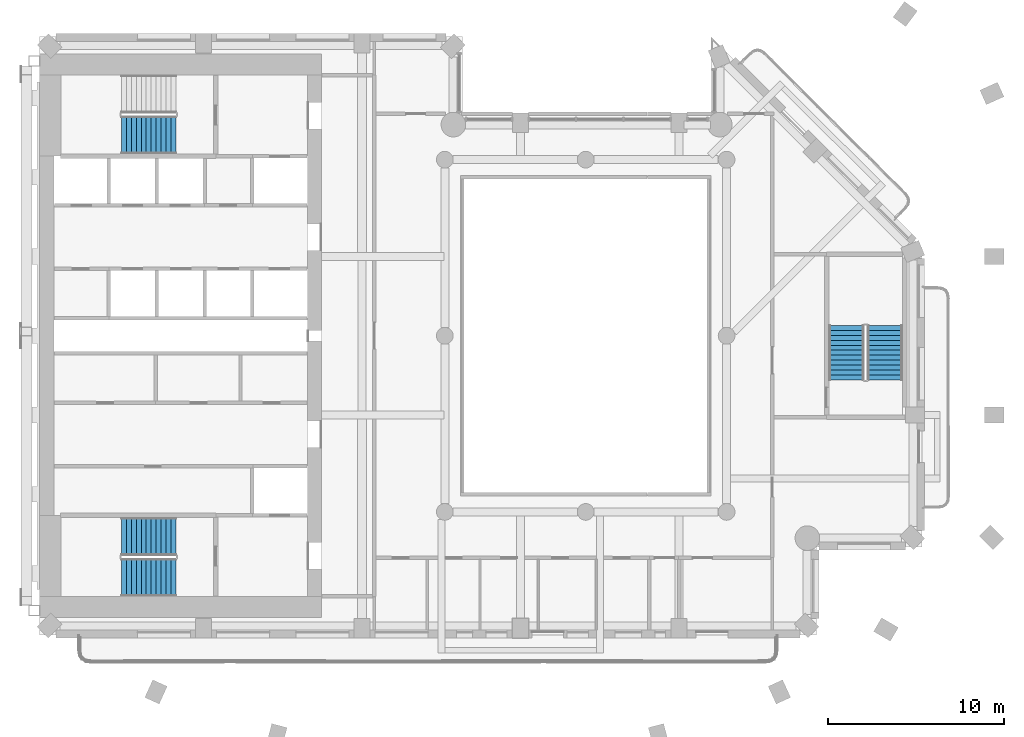
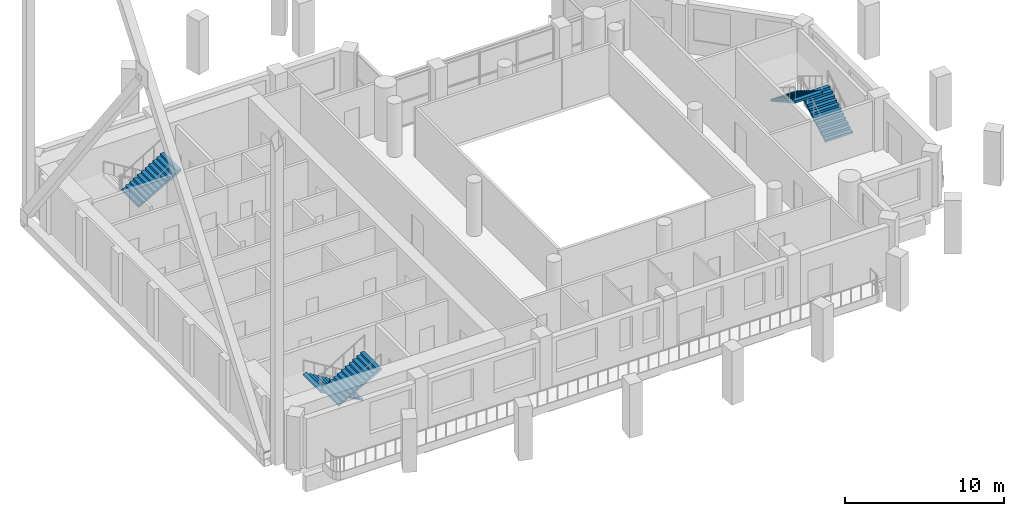
# One storey, part 10 of 16: 5 stair flights, 3 elements without a shape of their own.
"""IFC4 building model written with IfcOpenShell, lengths in metres."""

from ifc_helpers import new_model, si_unit, direction, frame, origin, place, context, subcontext, project, spatial, triangles, material, type_object, element, aggregate, save


model = new_model("IFC4")

# Units and contexts
model_context = context("Model", 3, precision=1e-05, world=origin(), true_north=direction((0.0, 1.0)))
body_context = subcontext(model_context, "Body", "Model", "MODEL_VIEW")
ifc_project = project(units=[si_unit("LENGTHUNIT", "METRE"), si_unit("AREAUNIT", "SQUARE_METRE"), si_unit("VOLUMEUNIT", "CUBIC_METRE"), si_unit("PLANEANGLEUNIT", "RADIAN"), si_unit("MASSUNIT", "GRAM", prefix="KILO")], contexts=[model_context])

# Site, building, storey
site_placement = place(None, origin())
site = spatial("IfcSite", under=ifc_project, at=site_placement, CompositionType="ELEMENT")
building_placement = place(site_placement, origin())
building = spatial("IfcBuilding", under=site, at=building_placement, Name="Cypress Arch Tower", CompositionType="ELEMENT")
storey_placement = place(building_placement, frame((0.0, 0.0, 197.39990234375)))
storey = spatial("IfcBuildingStorey", under=building, at=storey_placement, Name="L43", CompositionType="ELEMENT", Elevation=197.39990234375)

# Stair, stair flights
ifc_material_1 = material(Name="Concrete C40/50", Category="concrete")
stair_type_1 = type_object("IfcStairType", Name="Exit stair ES1708-200", PredefinedType="HALF_TURN_STAIR", material=ifc_material_1)
stair_1_placement = place(storey_placement, origin())
stair_1 = element("IfcStair", 1, at=stair_1_placement, inside=storey, type_object=stair_type_1, Name="L43 Exit stair C", PredefinedType="HALF_TURN_STAIR")
ifc_material_2 = material(Name="Concrete C40/50", Category="concrete")
stair_flight_type_1 = type_object("IfcStairFlightType", Name="Exit stair flight ES1708-200", PredefinedType="STRAIGHT", material=ifc_material_2)
stair_flight_1_placement = place(storey_placement, frame((18.0, -2.5, 0.0), z_axis=(0.0, 0.0, 1.0), x_axis=(0.0, 1.0, 0.0)))
stair_flight_1 = element("IfcStairFlight", 2, at=stair_flight_1_placement, type_object=stair_flight_type_1, Name="C flight 1", NumberOfRisers=12, NumberOfTreads=11, PredefinedType="STRAIGHT", RiserHeight=0.170833333, TreadLength=0.28, context=body_context, shape_type="Tessellation", body=[
    triangles([(0.0, -1.0, 0.0), (0.0, -1.0, 0.1708984375), (0.280029296875, -1.0, 0.1708984375), (0.280029296875, -1.0, 0.341552734375), (0.56005859375, -1.0, 0.341552734375), (0.56005859375, -1.0, 0.512451171875), (0.840087890625, -1.0, 0.512451171875), (0.840087890625, -1.0, 0.683349609375), (1.1201171875, -1.0, 0.683349609375), (1.1201171875, -1.0, 0.854248046875), (1.39990234375, -1.0, 0.854248046875), (1.39990234375, -1.0, 1.02490234375), (1.679931640625, -1.0, 1.02490234375), (1.679931640625, -1.0, 1.19580078125), (1.9599609375, -1.0, 1.19580078125), (1.9599609375, -1.0, 1.36669921875), (2.239990234375, -1.0, 1.36669921875), (2.239990234375, -1.0, 1.53759765625), (2.52001953125, -1.0, 1.53759765625), (2.52001953125, -1.0, 1.708251953125), (2.800048828125, -1.0, 1.708251953125), (2.800048828125, -1.0, 1.879150390625), (3.080078125, -1.0, 1.879150390625), (3.080078125, -1.0, 1.70361328125), (3.080078125, 1.0, 1.70361328125), (3.080078125, 1.0, 1.879150390625), (2.800048828125, 1.0, 1.879150390625), (2.800048828125, 1.0, 1.708251953125), (2.52001953125, 1.0, 1.708251953125), (2.52001953125, 1.0, 1.53759765625), (2.239990234375, 1.0, 1.53759765625), (2.239990234375, 1.0, 1.36669921875), (1.9599609375, 1.0, 1.36669921875), (1.9599609375, 1.0, 1.19580078125), (1.679931640625, 1.0, 1.19580078125), (1.679931640625, 1.0, 1.02490234375), (1.39990234375, 1.0, 1.02490234375), (1.39990234375, 1.0, 0.854248046875), (1.1201171875, 1.0, 0.854248046875), (1.1201171875, 1.0, 0.683349609375), (0.840087890625, 1.0, 0.683349609375), (0.840087890625, 1.0, 0.512451171875), (0.56005859375, 1.0, 0.512451171875), (0.56005859375, 1.0, 0.341552734375), (0.280029296875, 1.0, 0.341552734375), (0.280029296875, 1.0, 0.1708984375), (0.0, 1.0, 0.1708984375), (0.0, 1.0, 0.0), (3.080078125, 0.0, 1.879150390625), (3.080078125, 0.0, 1.70361328125), (2.800048828125, 0.0, 1.879150390625), (2.800048828125, 0.0, 1.708251953125), (2.52001953125, 0.0, 1.708251953125), (2.52001953125, 0.0, 1.53759765625), (2.239990234375, 0.0, 1.53759765625), (2.239990234375, 0.0, 1.36669921875), (1.9599609375, 0.0, 1.36669921875), (1.9599609375, 0.0, 1.19580078125), (1.679931640625, 0.0, 1.19580078125), (1.679931640625, 0.0, 1.02490234375), (1.39990234375, 0.0, 1.02490234375), (1.39990234375, 0.0, 0.854248046875), (1.1201171875, 0.0, 0.854248046875), (1.1201171875, 0.0, 0.683349609375), (0.840087890625, 0.0, 0.683349609375), (0.840087890625, 0.0, 0.512451171875), (0.56005859375, 0.0, 0.512451171875), (0.56005859375, 0.0, 0.341552734375), (0.280029296875, 0.0, 0.341552734375), (0.280029296875, 0.0, 0.1708984375), (0.0, 0.0, 0.1708984375), (0.0, 0.0, 0.0)], [[24, 23, 22], [11, 10, 9], [19, 18, 17], [17, 16, 15], [15, 14, 13], [9, 8, 7], [7, 6, 5], [3, 2, 1], [21, 20, 19], [13, 12, 11], [5, 4, 3], [24, 22, 21], [24, 21, 19], [24, 19, 17], [24, 17, 15], [24, 15, 13], [24, 13, 11], [24, 11, 9], [24, 9, 7], [24, 7, 5], [1, 24, 5], [5, 3, 1], [25, 27, 26], [38, 40, 39], [30, 32, 31], [32, 34, 33], [34, 36, 35], [40, 42, 41], [42, 44, 43], [46, 48, 47], [28, 30, 29], [36, 38, 37], [44, 46, 45], [25, 28, 27], [25, 30, 28], [25, 32, 30], [25, 34, 32], [25, 36, 34], [25, 38, 36], [25, 40, 38], [25, 42, 40], [25, 44, 42], [48, 44, 25], [44, 48, 46], [50, 49, 23], [50, 23, 24], [25, 26, 49], [25, 49, 50], [49, 51, 22], [49, 22, 23], [26, 27, 51], [26, 51, 49], [51, 52, 21], [51, 21, 22], [27, 28, 52], [27, 52, 51], [52, 53, 20], [52, 20, 21], [28, 29, 53], [28, 53, 52], [53, 54, 19], [53, 19, 20], [29, 30, 54], [29, 54, 53], [54, 55, 18], [54, 18, 19], [30, 31, 55], [30, 55, 54], [55, 56, 17], [55, 17, 18], [31, 32, 56], [31, 56, 55], [56, 57, 16], [56, 16, 17], [32, 33, 57], [32, 57, 56], [57, 58, 15], [57, 15, 16], [33, 34, 58], [33, 58, 57], [58, 59, 14], [58, 14, 15], [34, 35, 59], [34, 59, 58], [59, 60, 13], [59, 13, 14], [35, 36, 60], [35, 60, 59], [60, 61, 12], [60, 12, 13], [36, 37, 61], [36, 61, 60], [61, 62, 11], [61, 11, 12], [37, 38, 62], [37, 62, 61], [62, 63, 10], [62, 10, 11], [38, 39, 63], [38, 63, 62], [63, 64, 9], [63, 9, 10], [39, 40, 64], [39, 64, 63], [64, 65, 8], [64, 8, 9], [40, 41, 65], [40, 65, 64], [65, 66, 7], [65, 7, 8], [41, 42, 66], [41, 66, 65], [66, 67, 6], [66, 6, 7], [42, 43, 67], [42, 67, 66], [67, 68, 5], [67, 5, 6], [43, 44, 68], [43, 68, 67], [68, 69, 4], [68, 4, 5], [44, 45, 69], [44, 69, 68], [69, 70, 3], [69, 3, 4], [45, 46, 70], [45, 70, 69], [70, 71, 2], [70, 2, 3], [46, 47, 71], [46, 71, 70], [71, 72, 1], [71, 1, 2], [47, 48, 72], [47, 72, 71], [72, 50, 24], [72, 24, 1], [48, 25, 50], [48, 50, 72]], closed=True),
])
stair_flight_2_placement = place(storey_placement, frame((15.800048828125, 0.580078125, 2.050048828125), z_axis=(0.0, 0.0, 1.0), x_axis=(0.0, -1.0, 0.0)))
stair_flight_2 = element("IfcStairFlight", 3, at=stair_flight_2_placement, type_object=stair_flight_type_1, Name="C flight 2", NumberOfRisers=12, NumberOfTreads=11, PredefinedType="STRAIGHT", RiserHeight=0.170833333, TreadLength=0.28, context=body_context, shape_type="Tessellation", body=[
    triangles([(0.0, -1.0, 0.0), (0.0, -1.0, 0.1708984375), (0.280029296875, -1.0, 0.1708984375), (0.280029296875, -1.0, 0.341552734375), (0.56005859375, -1.0, 0.341552734375), (0.56005859375, -1.0, 0.512451171875), (0.840087890625, -1.0, 0.512451171875), (0.840087890625, -1.0, 0.683349609375), (1.1201171875, -1.0, 0.683349609375), (1.1201171875, -1.0, 0.854248046875), (1.39990234375, -1.0, 0.854248046875), (1.39990234375, -1.0, 1.02490234375), (1.679931640625, -1.0, 1.02490234375), (1.679931640625, -1.0, 1.19580078125), (1.9599609375, -1.0, 1.19580078125), (1.9599609375, -1.0, 1.36669921875), (2.239990234375, -1.0, 1.36669921875), (2.239990234375, -1.0, 1.53759765625), (2.52001953125, -1.0, 1.53759765625), (2.52001953125, -1.0, 1.708251953125), (2.800048828125, -1.0, 1.708251953125), (2.800048828125, -1.0, 1.879150390625), (3.080078125, -1.0, 1.879150390625), (3.080078125, -1.0, 1.70361328125), (3.080078125, 1.0, 1.70361328125), (3.080078125, 1.0, 1.879150390625), (2.800048828125, 1.0, 1.879150390625), (2.800048828125, 1.0, 1.708251953125), (2.52001953125, 1.0, 1.708251953125), (2.52001953125, 1.0, 1.53759765625), (2.239990234375, 1.0, 1.53759765625), (2.239990234375, 1.0, 1.36669921875), (1.9599609375, 1.0, 1.36669921875), (1.9599609375, 1.0, 1.19580078125), (1.679931640625, 1.0, 1.19580078125), (1.679931640625, 1.0, 1.02490234375), (1.39990234375, 1.0, 1.02490234375), (1.39990234375, 1.0, 0.854248046875), (1.1201171875, 1.0, 0.854248046875), (1.1201171875, 1.0, 0.683349609375), (0.840087890625, 1.0, 0.683349609375), (0.840087890625, 1.0, 0.512451171875), (0.56005859375, 1.0, 0.512451171875), (0.56005859375, 1.0, 0.341552734375), (0.280029296875, 1.0, 0.341552734375), (0.280029296875, 1.0, 0.1708984375), (0.0, 1.0, 0.1708984375), (0.0, 1.0, 0.0), (3.080078125, 0.0, 1.879150390625), (3.080078125, 0.0, 1.70361328125), (2.800048828125, 0.0, 1.879150390625), (2.800048828125, 0.0, 1.708251953125), (2.52001953125, 0.0, 1.708251953125), (2.52001953125, 0.0, 1.53759765625), (2.239990234375, 0.0, 1.53759765625), (2.239990234375, 0.0, 1.36669921875), (1.9599609375, 0.0, 1.36669921875), (1.9599609375, 0.0, 1.19580078125), (1.679931640625, 0.0, 1.19580078125), (1.679931640625, 0.0, 1.02490234375), (1.39990234375, 0.0, 1.02490234375), (1.39990234375, 0.0, 0.854248046875), (1.1201171875, 0.0, 0.854248046875), (1.1201171875, 0.0, 0.683349609375), (0.840087890625, 0.0, 0.683349609375), (0.840087890625, 0.0, 0.512451171875), (0.56005859375, 0.0, 0.512451171875), (0.56005859375, 0.0, 0.341552734375), (0.280029296875, 0.0, 0.341552734375), (0.280029296875, 0.0, 0.1708984375), (0.0, 0.0, 0.1708984375), (0.0, 0.0, 0.0)], [[24, 23, 22], [11, 10, 9], [19, 18, 17], [17, 16, 15], [15, 14, 13], [9, 8, 7], [7, 6, 5], [3, 2, 1], [21, 20, 19], [13, 12, 11], [5, 4, 3], [24, 22, 21], [24, 21, 19], [24, 19, 17], [24, 17, 15], [24, 15, 13], [24, 13, 11], [24, 11, 9], [24, 9, 7], [24, 7, 5], [1, 24, 5], [5, 3, 1], [25, 27, 26], [38, 40, 39], [30, 32, 31], [32, 34, 33], [34, 36, 35], [40, 42, 41], [42, 44, 43], [46, 48, 47], [28, 30, 29], [36, 38, 37], [44, 46, 45], [25, 28, 27], [25, 30, 28], [25, 32, 30], [25, 34, 32], [25, 36, 34], [25, 38, 36], [25, 40, 38], [25, 42, 40], [25, 44, 42], [48, 44, 25], [44, 48, 46], [50, 49, 23], [50, 23, 24], [25, 26, 49], [25, 49, 50], [49, 51, 22], [49, 22, 23], [26, 27, 51], [26, 51, 49], [51, 52, 21], [51, 21, 22], [27, 28, 52], [27, 52, 51], [52, 53, 20], [52, 20, 21], [28, 29, 53], [28, 53, 52], [53, 54, 19], [53, 19, 20], [29, 30, 54], [29, 54, 53], [54, 55, 18], [54, 18, 19], [30, 31, 55], [30, 55, 54], [55, 56, 17], [55, 17, 18], [31, 32, 56], [31, 56, 55], [56, 57, 16], [56, 16, 17], [32, 33, 57], [32, 57, 56], [57, 58, 15], [57, 15, 16], [33, 34, 58], [33, 58, 57], [58, 59, 14], [58, 14, 15], [34, 35, 59], [34, 59, 58], [59, 60, 13], [59, 13, 14], [35, 36, 60], [35, 60, 59], [60, 61, 12], [60, 12, 13], [36, 37, 61], [36, 61, 60], [61, 62, 11], [61, 11, 12], [37, 38, 62], [37, 62, 61], [62, 63, 10], [62, 10, 11], [38, 39, 63], [38, 63, 62], [63, 64, 9], [63, 9, 10], [39, 40, 64], [39, 64, 63], [64, 65, 8], [64, 8, 9], [40, 41, 65], [40, 65, 64], [65, 66, 7], [65, 7, 8], [41, 42, 66], [41, 66, 65], [66, 67, 6], [66, 6, 7], [42, 43, 67], [42, 67, 66], [67, 68, 5], [67, 5, 6], [43, 44, 68], [43, 68, 67], [68, 69, 4], [68, 4, 5], [44, 45, 69], [44, 69, 68], [69, 70, 3], [69, 3, 4], [45, 46, 70], [45, 70, 69], [70, 71, 2], [70, 2, 3], [46, 47, 71], [46, 71, 70], [71, 72, 1], [71, 1, 2], [47, 48, 72], [47, 72, 71], [72, 50, 24], [72, 24, 1], [48, 25, 50], [48, 50, 72]], closed=True),
])
aggregate(stair_1, [stair_flight_1, stair_flight_2])

ifc_material_3 = material(Name="Concrete C40/50", Category="concrete")
stair_type_2 = type_object("IfcStairType", Name="Exit stair ES1708-215", PredefinedType="HALF_TURN_STAIR", material=ifc_material_3)
stair_2_placement = place(storey_placement, origin())
stair_2 = element("IfcStair", 4, at=stair_2_placement, inside=storey, type_object=stair_type_2, Name="L43 Exit stair A", PredefinedType="HALF_TURN_STAIR")
ifc_material_4 = material(Name="Concrete C40/50", Category="concrete")
stair_flight_type_2 = type_object("IfcStairFlightType", Name="Exit stair flight ES1708-215", PredefinedType="STRAIGHT", material=ifc_material_4)
stair_flight_3_placement = place(storey_placement, frame((-22.27490234375, -11.39990234375, 0.0), z_axis=(0.0, 0.0, 1.0), x_axis=(-1.0, 0.0, 0.0)))
stair_flight_3 = element("IfcStairFlight", 5, at=stair_flight_3_placement, type_object=stair_flight_type_2, Name="A flight 1", NumberOfRisers=12, NumberOfTreads=11, PredefinedType="STRAIGHT", RiserHeight=0.170833333, TreadLength=0.28, context=body_context, shape_type="Tessellation", body=[
    triangles([(0.0, -1.074951171875, 0.0), (0.000244140625, -1.074951171875, 0.01904296875), (0.000244140625, -1.074951171875, 0.0380859375), (0.00048828125, -1.074951171875, 0.056884765625), (0.00048828125, -1.074951171875, 0.075927734375), (0.00048828125, -1.074951171875, 0.094970703125), (0.00048828125, -1.074951171875, 0.114013671875), (0.000244140625, -1.074951171875, 0.1328125), (0.000244140625, -1.074951171875, 0.15185546875), (0.0, -1.074951171875, 0.1708984375), (0.280029296875, -1.074951171875, 0.1708984375), (0.280029296875, -1.074951171875, 0.341552734375), (0.56005859375, -1.074951171875, 0.341552734375), (0.56005859375, -1.074951171875, 0.512451171875), (0.840087890625, -1.074951171875, 0.512451171875), (0.840087890625, -1.074951171875, 0.683349609375), (1.1201171875, -1.074951171875, 0.683349609375), (1.1201171875, -1.074951171875, 0.854248046875), (1.39990234375, -1.074951171875, 0.854248046875), (1.39990234375, -1.074951171875, 1.02490234375), (1.679931640625, -1.074951171875, 1.02490234375), (1.679931640625, -1.074951171875, 1.19580078125), (1.9599609375, -1.074951171875, 1.19580078125), (1.9599609375, -1.074951171875, 1.36669921875), (2.239990234375, -1.074951171875, 1.36669921875), (2.239990234375, -1.074951171875, 1.53759765625), (2.52001953125, -1.074951171875, 1.53759765625), (2.52001953125, -1.074951171875, 1.708251953125), (2.800048828125, -1.074951171875, 1.708251953125), (2.800048828125, -1.074951171875, 1.879150390625), (3.080078125, -1.074951171875, 1.879150390625), (3.079833984375, -1.074951171875, 1.859619140625), (3.079833984375, -1.074951171875, 1.840087890625), (3.07958984375, -1.074951171875, 1.820556640625), (3.07958984375, -1.074951171875, 1.801025390625), (3.07958984375, -1.074951171875, 1.78173828125), (3.07958984375, -1.074951171875, 1.76220703125), (3.079833984375, -1.074951171875, 1.74267578125), (3.079833984375, -1.074951171875, 1.72314453125), (3.080078125, -1.074951171875, 1.70361328125), (3.080078125, 1.074951171875, 1.70361328125), (3.079833984375, 1.074951171875, 1.72314453125), (3.079833984375, 1.074951171875, 1.74267578125), (3.07958984375, 1.074951171875, 1.76220703125), (3.07958984375, 1.074951171875, 1.78173828125), (3.07958984375, 1.074951171875, 1.801025390625), (3.07958984375, 1.074951171875, 1.820556640625), (3.079833984375, 1.074951171875, 1.840087890625), (3.079833984375, 1.074951171875, 1.859619140625), (3.080078125, 1.074951171875, 1.879150390625), (2.800048828125, 1.074951171875, 1.879150390625), (2.800048828125, 1.074951171875, 1.708251953125), (2.52001953125, 1.074951171875, 1.708251953125), (2.52001953125, 1.074951171875, 1.53759765625), (2.239990234375, 1.074951171875, 1.53759765625), (2.239990234375, 1.074951171875, 1.36669921875), (1.9599609375, 1.074951171875, 1.36669921875), (1.9599609375, 1.074951171875, 1.19580078125), (1.679931640625, 1.074951171875, 1.19580078125), (1.679931640625, 1.074951171875, 1.02490234375), (1.39990234375, 1.074951171875, 1.02490234375), (1.39990234375, 1.074951171875, 0.854248046875), (1.1201171875, 1.074951171875, 0.854248046875), (1.1201171875, 1.074951171875, 0.683349609375), (0.840087890625, 1.074951171875, 0.683349609375), (0.840087890625, 1.074951171875, 0.512451171875), (0.56005859375, 1.074951171875, 0.512451171875), (0.56005859375, 1.074951171875, 0.341552734375), (0.280029296875, 1.074951171875, 0.341552734375), (0.280029296875, 1.074951171875, 0.1708984375), (0.0, 1.074951171875, 0.1708984375), (0.000244140625, 1.074951171875, 0.15185546875), (0.000244140625, 1.074951171875, 0.1328125), (0.00048828125, 1.074951171875, 0.114013671875), (0.00048828125, 1.074951171875, 0.094970703125), (0.00048828125, 1.074951171875, 0.075927734375), (0.00048828125, 1.074951171875, 0.056884765625), (0.000244140625, 1.074951171875, 0.0380859375), (0.000244140625, 1.074951171875, 0.01904296875), (0.0, 1.074951171875, 0.0)], [[40, 39, 30], [39, 38, 30], [38, 37, 30], [37, 36, 30], [36, 35, 30], [35, 34, 30], [34, 33, 30], [33, 32, 30], [32, 31, 30], [19, 18, 17], [27, 26, 25], [25, 24, 23], [23, 22, 21], [17, 16, 15], [15, 14, 13], [10, 9, 11], [9, 8, 11], [8, 7, 11], [7, 6, 11], [6, 5, 11], [5, 4, 11], [4, 3, 11], [3, 2, 11], [2, 1, 11], [29, 28, 27], [21, 20, 19], [13, 12, 11], [40, 30, 29], [40, 29, 27], [40, 27, 25], [40, 25, 23], [40, 23, 21], [40, 21, 19], [40, 19, 17], [40, 17, 15], [40, 15, 13], [1, 40, 13], [13, 11, 1], [41, 51, 42], [42, 51, 43], [43, 51, 44], [44, 51, 45], [45, 51, 46], [46, 51, 47], [47, 51, 48], [48, 51, 49], [49, 51, 50], [62, 64, 63], [54, 56, 55], [56, 58, 57], [58, 60, 59], [64, 66, 65], [66, 68, 67], [71, 70, 72], [72, 70, 73], [73, 70, 74], [74, 70, 75], [75, 70, 76], [76, 70, 77], [77, 70, 78], [78, 70, 79], [79, 70, 80], [52, 54, 53], [60, 62, 61], [68, 70, 69], [41, 52, 51], [41, 54, 52], [41, 56, 54], [41, 58, 56], [41, 60, 58], [41, 62, 60], [41, 64, 62], [41, 66, 64], [41, 68, 66], [80, 68, 41], [68, 80, 70], [41, 42, 39], [41, 39, 40], [42, 43, 38], [42, 38, 39], [43, 44, 37], [43, 37, 38], [44, 45, 36], [44, 36, 37], [45, 46, 35], [45, 35, 36], [46, 47, 34], [46, 34, 35], [47, 48, 33], [47, 33, 34], [48, 49, 32], [48, 32, 33], [49, 50, 31], [49, 31, 32], [50, 51, 30], [50, 30, 31], [51, 52, 29], [51, 29, 30], [52, 53, 28], [52, 28, 29], [53, 54, 27], [53, 27, 28], [54, 55, 26], [54, 26, 27], [55, 56, 25], [55, 25, 26], [56, 57, 24], [56, 24, 25], [57, 58, 23], [57, 23, 24], [58, 59, 22], [58, 22, 23], [59, 60, 21], [59, 21, 22], [60, 61, 20], [60, 20, 21], [61, 62, 19], [61, 19, 20], [62, 63, 18], [62, 18, 19], [63, 64, 17], [63, 17, 18], [64, 65, 16], [64, 16, 17], [65, 66, 15], [65, 15, 16], [66, 67, 14], [66, 14, 15], [67, 68, 13], [67, 13, 14], [68, 69, 12], [68, 12, 13], [69, 70, 11], [69, 11, 12], [70, 71, 10], [70, 10, 11], [71, 72, 9], [71, 9, 10], [72, 73, 8], [72, 8, 9], [73, 74, 7], [73, 7, 8], [74, 75, 6], [74, 6, 7], [75, 76, 5], [75, 5, 6], [76, 77, 4], [76, 4, 5], [77, 78, 3], [77, 3, 4], [78, 79, 2], [78, 2, 3], [79, 80, 1], [79, 1, 2], [80, 41, 40], [80, 40, 1]], closed=True),
])
stair_flight_4_placement = place(storey_placement, frame((-25.35498046875, -13.72509765625, 2.050048828125), z_axis=(0.0, 0.0, 1.0), x_axis=(1.0, 0.0, 0.0)))
stair_flight_4 = element("IfcStairFlight", 6, at=stair_flight_4_placement, type_object=stair_flight_type_2, Name="A flight 2", NumberOfRisers=12, NumberOfTreads=11, PredefinedType="STRAIGHT", RiserHeight=0.170833333, TreadLength=0.28, context=body_context, shape_type="Tessellation", body=[
    triangles([(0.0, -1.074951171875, 0.0), (0.000244140625, -1.074951171875, 0.01904296875), (0.000244140625, -1.074951171875, 0.0380859375), (0.00048828125, -1.074951171875, 0.056884765625), (0.00048828125, -1.074951171875, 0.075927734375), (0.00048828125, -1.074951171875, 0.094970703125), (0.00048828125, -1.074951171875, 0.114013671875), (0.000244140625, -1.074951171875, 0.1328125), (0.000244140625, -1.074951171875, 0.15185546875), (0.0, -1.074951171875, 0.1708984375), (0.280029296875, -1.074951171875, 0.1708984375), (0.280029296875, -1.074951171875, 0.341552734375), (0.56005859375, -1.074951171875, 0.341552734375), (0.56005859375, -1.074951171875, 0.512451171875), (0.840087890625, -1.074951171875, 0.512451171875), (0.840087890625, -1.074951171875, 0.683349609375), (1.1201171875, -1.074951171875, 0.683349609375), (1.1201171875, -1.074951171875, 0.854248046875), (1.39990234375, -1.074951171875, 0.854248046875), (1.39990234375, -1.074951171875, 1.02490234375), (1.679931640625, -1.074951171875, 1.02490234375), (1.679931640625, -1.074951171875, 1.19580078125), (1.9599609375, -1.074951171875, 1.19580078125), (1.9599609375, -1.074951171875, 1.36669921875), (2.239990234375, -1.074951171875, 1.36669921875), (2.239990234375, -1.074951171875, 1.53759765625), (2.52001953125, -1.074951171875, 1.53759765625), (2.52001953125, -1.074951171875, 1.708251953125), (2.800048828125, -1.074951171875, 1.708251953125), (2.800048828125, -1.074951171875, 1.879150390625), (3.080078125, -1.074951171875, 1.879150390625), (3.079833984375, -1.074951171875, 1.859619140625), (3.079833984375, -1.074951171875, 1.840087890625), (3.07958984375, -1.074951171875, 1.820556640625), (3.07958984375, -1.074951171875, 1.801025390625), (3.07958984375, -1.074951171875, 1.78173828125), (3.07958984375, -1.074951171875, 1.76220703125), (3.079833984375, -1.074951171875, 1.74267578125), (3.079833984375, -1.074951171875, 1.72314453125), (3.080078125, -1.074951171875, 1.70361328125), (3.080078125, 1.074951171875, 1.70361328125), (3.079833984375, 1.074951171875, 1.72314453125), (3.079833984375, 1.074951171875, 1.74267578125), (3.07958984375, 1.074951171875, 1.76220703125), (3.07958984375, 1.074951171875, 1.78173828125), (3.07958984375, 1.074951171875, 1.801025390625), (3.07958984375, 1.074951171875, 1.820556640625), (3.079833984375, 1.074951171875, 1.840087890625), (3.079833984375, 1.074951171875, 1.859619140625), (3.080078125, 1.074951171875, 1.879150390625), (2.800048828125, 1.074951171875, 1.879150390625), (2.800048828125, 1.074951171875, 1.708251953125), (2.52001953125, 1.074951171875, 1.708251953125), (2.52001953125, 1.074951171875, 1.53759765625), (2.239990234375, 1.074951171875, 1.53759765625), (2.239990234375, 1.074951171875, 1.36669921875), (1.9599609375, 1.074951171875, 1.36669921875), (1.9599609375, 1.074951171875, 1.19580078125), (1.679931640625, 1.074951171875, 1.19580078125), (1.679931640625, 1.074951171875, 1.02490234375), (1.39990234375, 1.074951171875, 1.02490234375), (1.39990234375, 1.074951171875, 0.854248046875), (1.1201171875, 1.074951171875, 0.854248046875), (1.1201171875, 1.074951171875, 0.683349609375), (0.840087890625, 1.074951171875, 0.683349609375), (0.840087890625, 1.074951171875, 0.512451171875), (0.56005859375, 1.074951171875, 0.512451171875), (0.56005859375, 1.074951171875, 0.341552734375), (0.280029296875, 1.074951171875, 0.341552734375), (0.280029296875, 1.074951171875, 0.1708984375), (0.0, 1.074951171875, 0.1708984375), (0.000244140625, 1.074951171875, 0.15185546875), (0.000244140625, 1.074951171875, 0.1328125), (0.00048828125, 1.074951171875, 0.114013671875), (0.00048828125, 1.074951171875, 0.094970703125), (0.00048828125, 1.074951171875, 0.075927734375), (0.00048828125, 1.074951171875, 0.056884765625), (0.000244140625, 1.074951171875, 0.0380859375), (0.000244140625, 1.074951171875, 0.01904296875), (0.0, 1.074951171875, 0.0)], [[40, 39, 30], [39, 38, 30], [38, 37, 30], [37, 36, 30], [36, 35, 30], [35, 34, 30], [34, 33, 30], [33, 32, 30], [32, 31, 30], [19, 18, 17], [27, 26, 25], [25, 24, 23], [23, 22, 21], [17, 16, 15], [15, 14, 13], [10, 9, 11], [9, 8, 11], [8, 7, 11], [7, 6, 11], [6, 5, 11], [5, 4, 11], [4, 3, 11], [3, 2, 11], [2, 1, 11], [29, 28, 27], [21, 20, 19], [13, 12, 11], [40, 30, 29], [40, 29, 27], [40, 27, 25], [40, 25, 23], [40, 23, 21], [40, 21, 19], [40, 19, 17], [40, 17, 15], [40, 15, 13], [1, 40, 13], [13, 11, 1], [41, 51, 42], [42, 51, 43], [43, 51, 44], [44, 51, 45], [45, 51, 46], [46, 51, 47], [47, 51, 48], [48, 51, 49], [49, 51, 50], [62, 64, 63], [54, 56, 55], [56, 58, 57], [58, 60, 59], [64, 66, 65], [66, 68, 67], [71, 70, 72], [72, 70, 73], [73, 70, 74], [74, 70, 75], [75, 70, 76], [76, 70, 77], [77, 70, 78], [78, 70, 79], [79, 70, 80], [52, 54, 53], [60, 62, 61], [68, 70, 69], [41, 52, 51], [41, 54, 52], [41, 56, 54], [41, 58, 56], [41, 60, 58], [41, 62, 60], [41, 64, 62], [41, 66, 64], [41, 68, 66], [80, 68, 41], [68, 80, 70], [41, 42, 39], [41, 39, 40], [42, 43, 38], [42, 38, 39], [43, 44, 37], [43, 37, 38], [44, 45, 36], [44, 36, 37], [45, 46, 35], [45, 35, 36], [46, 47, 34], [46, 34, 35], [47, 48, 33], [47, 33, 34], [48, 49, 32], [48, 32, 33], [49, 50, 31], [49, 31, 32], [50, 51, 30], [50, 30, 31], [51, 52, 29], [51, 29, 30], [52, 53, 28], [52, 28, 29], [53, 54, 27], [53, 27, 28], [54, 55, 26], [54, 26, 27], [55, 56, 25], [55, 25, 26], [56, 57, 24], [56, 24, 25], [57, 58, 23], [57, 23, 24], [58, 59, 22], [58, 22, 23], [59, 60, 21], [59, 21, 22], [60, 61, 20], [60, 20, 21], [61, 62, 19], [61, 19, 20], [62, 63, 18], [62, 18, 19], [63, 64, 17], [63, 17, 18], [64, 65, 16], [64, 16, 17], [65, 66, 15], [65, 15, 16], [66, 67, 14], [66, 14, 15], [67, 68, 13], [67, 13, 14], [68, 69, 12], [68, 12, 13], [69, 70, 11], [69, 11, 12], [70, 71, 10], [70, 10, 11], [71, 72, 9], [71, 9, 10], [72, 73, 8], [72, 8, 9], [73, 74, 7], [73, 7, 8], [74, 75, 6], [74, 6, 7], [75, 76, 5], [75, 5, 6], [76, 77, 4], [76, 4, 5], [77, 78, 3], [77, 3, 4], [78, 79, 2], [78, 2, 3], [79, 80, 1], [79, 1, 2], [80, 41, 40], [80, 40, 1]], closed=True),
])
aggregate(stair_2, [stair_flight_3, stair_flight_4])

# Stair, stair flight
stair_3_placement = place(storey_placement, origin())
stair_3 = element("IfcStair", 7, at=stair_3_placement, inside=storey, type_object=stair_type_2, Name="L43 Exit stair B", PredefinedType="HALF_TURN_STAIR")
stair_flight_5_placement = place(storey_placement, frame((-25.35498046875, 11.39990234375, 2.050048828125), z_axis=(0.0, 0.0, 1.0), x_axis=(1.0, 0.0, 0.0)))
stair_flight_5 = element("IfcStairFlight", 8, at=stair_flight_5_placement, type_object=stair_flight_type_2, Name="B flight 2", NumberOfRisers=12, NumberOfTreads=11, PredefinedType="STRAIGHT", RiserHeight=0.170833333, TreadLength=0.28, context=body_context, shape_type="Tessellation", body=[
    triangles([(0.0, -1.074951171875, 0.0), (0.000244140625, -1.074951171875, 0.01904296875), (0.000244140625, -1.074951171875, 0.0380859375), (0.00048828125, -1.074951171875, 0.056884765625), (0.00048828125, -1.074951171875, 0.075927734375), (0.00048828125, -1.074951171875, 0.094970703125), (0.00048828125, -1.074951171875, 0.114013671875), (0.000244140625, -1.074951171875, 0.1328125), (0.000244140625, -1.074951171875, 0.15185546875), (0.0, -1.074951171875, 0.1708984375), (0.280029296875, -1.074951171875, 0.1708984375), (0.280029296875, -1.074951171875, 0.341552734375), (0.56005859375, -1.074951171875, 0.341552734375), (0.56005859375, -1.074951171875, 0.512451171875), (0.840087890625, -1.074951171875, 0.512451171875), (0.840087890625, -1.074951171875, 0.683349609375), (1.1201171875, -1.074951171875, 0.683349609375), (1.1201171875, -1.074951171875, 0.854248046875), (1.39990234375, -1.074951171875, 0.854248046875), (1.39990234375, -1.074951171875, 1.02490234375), (1.679931640625, -1.074951171875, 1.02490234375), (1.679931640625, -1.074951171875, 1.19580078125), (1.9599609375, -1.074951171875, 1.19580078125), (1.9599609375, -1.074951171875, 1.36669921875), (2.239990234375, -1.074951171875, 1.36669921875), (2.239990234375, -1.074951171875, 1.53759765625), (2.52001953125, -1.074951171875, 1.53759765625), (2.52001953125, -1.074951171875, 1.708251953125), (2.800048828125, -1.074951171875, 1.708251953125), (2.800048828125, -1.074951171875, 1.879150390625), (3.080078125, -1.074951171875, 1.879150390625), (3.079833984375, -1.074951171875, 1.859619140625), (3.079833984375, -1.074951171875, 1.840087890625), (3.07958984375, -1.074951171875, 1.820556640625), (3.07958984375, -1.074951171875, 1.801025390625), (3.07958984375, -1.074951171875, 1.78173828125), (3.07958984375, -1.074951171875, 1.76220703125), (3.079833984375, -1.074951171875, 1.74267578125), (3.079833984375, -1.074951171875, 1.72314453125), (3.080078125, -1.074951171875, 1.70361328125), (3.080078125, 1.074951171875, 1.70361328125), (3.079833984375, 1.074951171875, 1.72314453125), (3.079833984375, 1.074951171875, 1.74267578125), (3.07958984375, 1.074951171875, 1.76220703125), (3.07958984375, 1.074951171875, 1.78173828125), (3.07958984375, 1.074951171875, 1.801025390625), (3.07958984375, 1.074951171875, 1.820556640625), (3.079833984375, 1.074951171875, 1.840087890625), (3.079833984375, 1.074951171875, 1.859619140625), (3.080078125, 1.074951171875, 1.879150390625), (2.800048828125, 1.074951171875, 1.879150390625), (2.800048828125, 1.074951171875, 1.708251953125), (2.52001953125, 1.074951171875, 1.708251953125), (2.52001953125, 1.074951171875, 1.53759765625), (2.239990234375, 1.074951171875, 1.53759765625), (2.239990234375, 1.074951171875, 1.36669921875), (1.9599609375, 1.074951171875, 1.36669921875), (1.9599609375, 1.074951171875, 1.19580078125), (1.679931640625, 1.074951171875, 1.19580078125), (1.679931640625, 1.074951171875, 1.02490234375), (1.39990234375, 1.074951171875, 1.02490234375), (1.39990234375, 1.074951171875, 0.854248046875), (1.1201171875, 1.074951171875, 0.854248046875), (1.1201171875, 1.074951171875, 0.683349609375), (0.840087890625, 1.074951171875, 0.683349609375), (0.840087890625, 1.074951171875, 0.512451171875), (0.56005859375, 1.074951171875, 0.512451171875), (0.56005859375, 1.074951171875, 0.341552734375), (0.280029296875, 1.074951171875, 0.341552734375), (0.280029296875, 1.074951171875, 0.1708984375), (0.0, 1.074951171875, 0.1708984375), (0.000244140625, 1.074951171875, 0.15185546875), (0.000244140625, 1.074951171875, 0.1328125), (0.00048828125, 1.074951171875, 0.114013671875), (0.00048828125, 1.074951171875, 0.094970703125), (0.00048828125, 1.074951171875, 0.075927734375), (0.00048828125, 1.074951171875, 0.056884765625), (0.000244140625, 1.074951171875, 0.0380859375), (0.000244140625, 1.074951171875, 0.01904296875), (0.0, 1.074951171875, 0.0)], [[40, 39, 30], [39, 38, 30], [38, 37, 30], [37, 36, 30], [36, 35, 30], [35, 34, 30], [34, 33, 30], [33, 32, 30], [32, 31, 30], [19, 18, 17], [27, 26, 25], [25, 24, 23], [23, 22, 21], [17, 16, 15], [15, 14, 13], [10, 9, 11], [9, 8, 11], [8, 7, 11], [7, 6, 11], [6, 5, 11], [5, 4, 11], [4, 3, 11], [3, 2, 11], [2, 1, 11], [29, 28, 27], [21, 20, 19], [13, 12, 11], [40, 30, 29], [40, 29, 27], [40, 27, 25], [40, 25, 23], [40, 23, 21], [40, 21, 19], [40, 19, 17], [40, 17, 15], [40, 15, 13], [1, 40, 13], [13, 11, 1], [41, 51, 42], [42, 51, 43], [43, 51, 44], [44, 51, 45], [45, 51, 46], [46, 51, 47], [47, 51, 48], [48, 51, 49], [49, 51, 50], [62, 64, 63], [54, 56, 55], [56, 58, 57], [58, 60, 59], [64, 66, 65], [66, 68, 67], [71, 70, 72], [72, 70, 73], [73, 70, 74], [74, 70, 75], [75, 70, 76], [76, 70, 77], [77, 70, 78], [78, 70, 79], [79, 70, 80], [52, 54, 53], [60, 62, 61], [68, 70, 69], [41, 52, 51], [41, 54, 52], [41, 56, 54], [41, 58, 56], [41, 60, 58], [41, 62, 60], [41, 64, 62], [41, 66, 64], [41, 68, 66], [80, 68, 41], [68, 80, 70], [41, 42, 39], [41, 39, 40], [42, 43, 38], [42, 38, 39], [43, 44, 37], [43, 37, 38], [44, 45, 36], [44, 36, 37], [45, 46, 35], [45, 35, 36], [46, 47, 34], [46, 34, 35], [47, 48, 33], [47, 33, 34], [48, 49, 32], [48, 32, 33], [49, 50, 31], [49, 31, 32], [50, 51, 30], [50, 30, 31], [51, 52, 29], [51, 29, 30], [52, 53, 28], [52, 28, 29], [53, 54, 27], [53, 27, 28], [54, 55, 26], [54, 26, 27], [55, 56, 25], [55, 25, 26], [56, 57, 24], [56, 24, 25], [57, 58, 23], [57, 23, 24], [58, 59, 22], [58, 22, 23], [59, 60, 21], [59, 21, 22], [60, 61, 20], [60, 20, 21], [61, 62, 19], [61, 19, 20], [62, 63, 18], [62, 18, 19], [63, 64, 17], [63, 17, 18], [64, 65, 16], [64, 16, 17], [65, 66, 15], [65, 15, 16], [66, 67, 14], [66, 14, 15], [67, 68, 13], [67, 13, 14], [68, 69, 12], [68, 12, 13], [69, 70, 11], [69, 11, 12], [70, 71, 10], [70, 10, 11], [71, 72, 9], [71, 9, 10], [72, 73, 8], [72, 8, 9], [73, 74, 7], [73, 7, 8], [74, 75, 6], [74, 6, 7], [75, 76, 5], [75, 5, 6], [76, 77, 4], [76, 4, 5], [77, 78, 3], [77, 3, 4], [78, 79, 2], [78, 2, 3], [79, 80, 1], [79, 1, 2], [80, 41, 40], [80, 40, 1]], closed=True),
])
aggregate(stair_3, [stair_flight_5])

save(model, "model.ifc")
